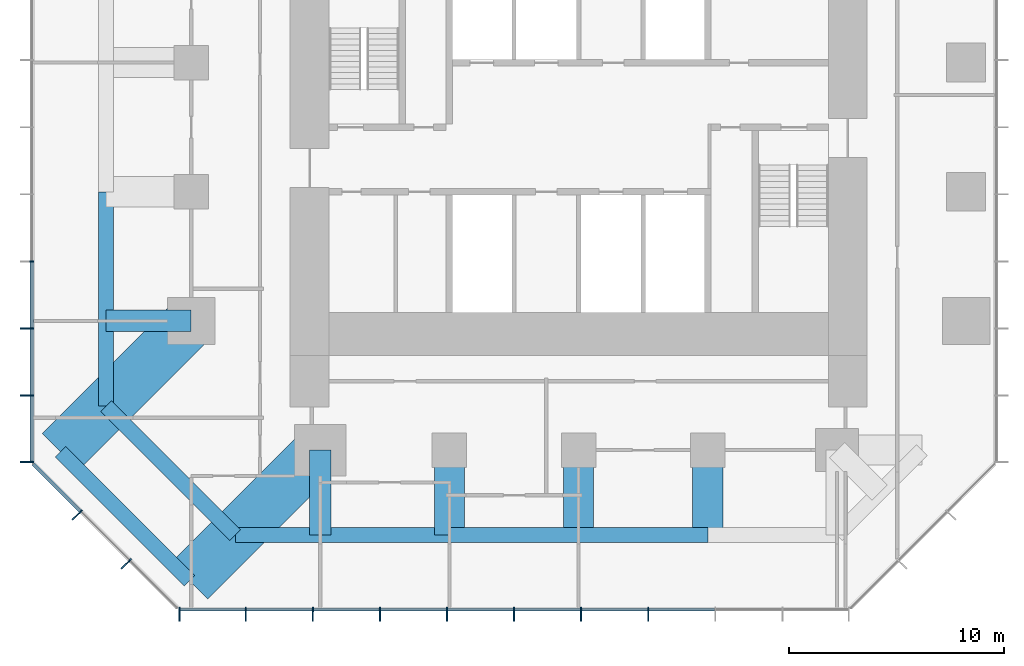
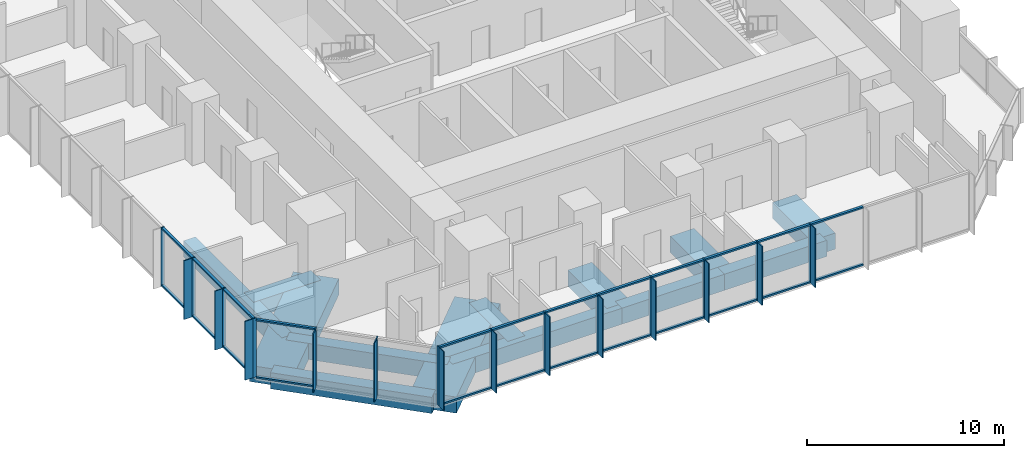
# One storey, part 2 of 11: 51 members, 13 beams, 3 elements without a shape of their own.
"""IFC4 building model written with IfcOpenShell, lengths in metres."""

from ifc_helpers import new_model, si_unit, direction, frame, origin, origin_2d, place, context, subcontext, project, spatial, rectangle, extrude, material, layer, layer_set, material_profile, profile_set, type_object, element, aggregate, save


model = new_model("IFC4")

# Units and contexts
model_context = context("Model", 3, precision=1e-05, world=origin(), true_north=direction((0.0, 1.0)))
body_context = subcontext(model_context, "Body", "Model", "MODEL_VIEW")
ifc_project = project(units=[si_unit("LENGTHUNIT", "METRE"), si_unit("AREAUNIT", "SQUARE_METRE"), si_unit("VOLUMEUNIT", "CUBIC_METRE"), si_unit("PLANEANGLEUNIT", "RADIAN"), si_unit("MASSUNIT", "GRAM", prefix="KILO")], contexts=[model_context])

# Site, building, storey
site_placement = place(None, origin())
site = spatial("IfcSite", under=ifc_project, at=site_placement, CompositionType="ELEMENT")
building_placement = place(site_placement, origin())
building = spatial("IfcBuilding", under=site, at=building_placement, Name="Highveld Stack Headquarters", CompositionType="ELEMENT")
storey_placement = place(building_placement, frame((0.0, 0.0, 235.699951171875)))
storey = spatial("IfcBuildingStorey", under=building, at=storey_placement, Name="L58", CompositionType="ELEMENT", Elevation=235.699951171875)

# Beams
ifc_material_1 = material(Name="Concrete C60/75", Category="concrete")
ifc_material_profile_1 = material_profile(ifc_material_1, rectangle(XDim=1.0, YDim=1.0, at=origin_2d()), Name="RC 1000x1000")
ifc_profile_set_1 = profile_set([ifc_material_profile_1], Name="Concrete C60/75")
beam_type_1 = type_object("IfcBeamType", Name="CANTILEVER RIB RC 1000x1000", PredefinedType="USERDEFINED", material=ifc_profile_set_1)
for number, where, z_axis, x_axis, name in (
    (1, (-12.0, -6.0, -0.75), (-1.0, 0.0, 0.0), (0.0, -1.0, 0.0), "Cantilever rib 4/D L58"),
    (2, (-6.0, -12.0, -0.75), (0.0, -1.0, 0.0), (1.0, 0.0, 0.0), "Cantilever rib 5/C L58"),
):
    element("IfcBeam", number, at=place(storey_placement, frame(where, z_axis=z_axis, x_axis=x_axis)), inside=storey, type_object=beam_type_1, Name=name, ObjectType="CANTILEVER RIB", PredefinedType="USERDEFINED", context=body_context, shape_type="SweptSolid", body=[
        extrude(rectangle(XDim=1.0, YDim=1.0, at=origin_2d()), origin(), (0.0, 0.0, 1.0), 3.949951171875),
    ])
ifc_material_2 = material(Name="Concrete C60/75", Category="concrete")
ifc_material_profile_2 = material_profile(ifc_material_2, rectangle(XDim=1.39990234375, YDim=1.0, at=origin_2d()), Name="RC 1400x1000")
ifc_profile_set_2 = profile_set([ifc_material_profile_2], Name="Concrete C60/75")
beam_type_2 = type_object("IfcBeamType", Name="CANTILEVER RIB RC 1400x1000", PredefinedType="USERDEFINED", material=ifc_profile_set_2)
for number, where, z_axis, x_axis, name in (
    (3, (0.0, -12.0, -0.75), (0.0, -1.0, 0.0), (1.0, 0.0, 0.0), "Cantilever rib 6/C L58"),
    (4, (6.0, -12.0, -0.75), (0.0, -1.0, 0.0), (1.0, 0.0, 0.0), "Cantilever rib 7/C L58"),
    (5, (12.0, -12.0, -0.75), (0.0, -1.0, 0.0), (1.0, 0.0, 0.0), "Cantilever rib 8/C L58"),
):
    element("IfcBeam", number, at=place(storey_placement, frame(where, z_axis=z_axis, x_axis=x_axis)), inside=storey, type_object=beam_type_2, Name=name, ObjectType="CANTILEVER RIB", PredefinedType="USERDEFINED", context=body_context, shape_type="SweptSolid", body=[
        extrude(rectangle(XDim=1.39990234375, YDim=1.0, at=origin_2d()), origin(), (0.0, 0.0, 1.0), 3.949951171875),
    ])
ifc_material_3 = material(Name="Concrete C60/75", Category="concrete")
ifc_material_profile_3 = material_profile(ifc_material_3, rectangle(XDim=2.39990234375, YDim=1.0, at=origin_2d()), Name="RC 2400x1000")
ifc_profile_set_3 = profile_set([ifc_material_profile_3], Name="Concrete C60/75")
beam_type_3 = type_object("IfcBeamType", Name="CANTILEVER RIB RC 2400x1000", PredefinedType="USERDEFINED", material=ifc_profile_set_3)
for number, where, z_axis, x_axis, name in (
    (6, (-12.0, -6.0, -0.75), (-0.707106781187, -0.707106781187, 0.0), (0.707106781187, -0.707106781187, 0.0), "Cantilever rib 4/D L58"),
    (7, (-6.0, -12.0, -0.75), (-0.707106781187, -0.707106781187, 0.0), (0.707106781187, -0.707106781187, 0.0), "Cantilever rib 5/C L58"),
):
    element("IfcBeam", number, at=place(storey_placement, frame(where, z_axis=z_axis, x_axis=x_axis)), inside=storey, type_object=beam_type_3, Name=name, ObjectType="CANTILEVER RIB", PredefinedType="USERDEFINED", context=body_context, shape_type="SweptSolid", body=[
        extrude(rectangle(XDim=2.39990234375, YDim=1.0, at=origin_2d()), origin(), (0.0, 0.0, 1.0), 8.585693359375),
    ])

# Curtain wall, members
ifc_material_4 = material(Name="Aluminium bronze anodised", Category="aluminium")
ifc_layer_1 = layer(ifc_material_4, 0.199951171875)
ifc_layer_set_1 = layer_set([ifc_layer_1], Name="Aluminium bronze anodised")
curtain_wall_type_1 = type_object("IfcCurtainWallType", Name="CW1 TOWER UNITISED CURTAIN WALL", PredefinedType="NOTDEFINED", material=ifc_layer_set_1)
curtain_wall_1_placement = place(storey_placement, origin())
curtain_wall_1 = element("IfcCurtainWall", 8, at=curtain_wall_1_placement, inside=storey, type_object=curtain_wall_type_1, Name="Curtain wall CW1 L58 S", PredefinedType="NOTDEFINED")
ifc_material_5 = material(Name="Aluminium bronze anodised", Category="aluminium")
ifc_material_profile_4 = material_profile(ifc_material_5, rectangle(XDim=0.449951171875, YDim=0.06005859375, at=origin_2d()), Name="FIN 450x60")
ifc_profile_set_4 = profile_set([ifc_material_profile_4], Name="Aluminium bronze anodised")
member_type_1 = type_object("IfcMemberType", Name="CW1 BRONZE FIN 450x60", PredefinedType="USERDEFINED", material=ifc_profile_set_4)
member_1_placement = place(storey_placement, frame((-12.54736328125, -19.72509765625, 0.0), z_axis=(0.0, 0.0, 1.0), x_axis=(0.0, 1.0, 0.0)))
member_1 = element("IfcMember", 9, at=member_1_placement, type_object=member_type_1, Name="CW1 fin L58 1", ObjectType="FIN", PredefinedType="USERDEFINED", context=body_context, shape_type="SweptSolid", body=[
    extrude(rectangle(XDim=0.449951171875, YDim=0.06005859375, at=origin_2d()), origin(), (0.0, 0.0, 1.0), 3.650146484375),
])
member_2_placement = place(storey_placement, frame((-9.4638671875, -19.72509765625, 0.0), z_axis=(0.0, 0.0, 1.0), x_axis=(0.0, 1.0, 0.0)))
member_2 = element("IfcMember", 10, at=member_2_placement, type_object=member_type_1, Name="CW1 fin L58 2", ObjectType="FIN", PredefinedType="USERDEFINED", context=body_context, shape_type="SweptSolid", body=[
    extrude(rectangle(XDim=0.449951171875, YDim=0.06005859375, at=origin_2d()), origin(), (0.0, 0.0, 1.0), 3.650146484375),
])
member_3_placement = place(storey_placement, frame((-6.347900390625, -19.72509765625, 0.0), z_axis=(0.0, 0.0, 1.0), x_axis=(0.0, 1.0, 0.0)))
member_3 = element("IfcMember", 11, at=member_3_placement, type_object=member_type_1, Name="CW1 fin L58 3", ObjectType="FIN", PredefinedType="USERDEFINED", context=body_context, shape_type="SweptSolid", body=[
    extrude(rectangle(XDim=0.449951171875, YDim=0.06005859375, at=origin_2d()), origin(), (0.0, 0.0, 1.0), 3.650146484375),
])
member_4_placement = place(storey_placement, frame((-3.23193359375, -19.72509765625, 0.0), z_axis=(0.0, 0.0, 1.0), x_axis=(0.0, 1.0, 0.0)))
member_4 = element("IfcMember", 12, at=member_4_placement, type_object=member_type_1, Name="CW1 fin L58 4", ObjectType="FIN", PredefinedType="USERDEFINED", context=body_context, shape_type="SweptSolid", body=[
    extrude(rectangle(XDim=0.449951171875, YDim=0.06005859375, at=origin_2d()), origin(), (0.0, 0.0, 1.0), 3.650146484375),
])
member_5_placement = place(storey_placement, frame((-0.115966796875, -19.72509765625, 0.0), z_axis=(0.0, 0.0, 1.0), x_axis=(0.0, 1.0, 0.0)))
member_5 = element("IfcMember", 13, at=member_5_placement, type_object=member_type_1, Name="CW1 fin L58 5", ObjectType="FIN", PredefinedType="USERDEFINED", context=body_context, shape_type="SweptSolid", body=[
    extrude(rectangle(XDim=0.449951171875, YDim=0.06005859375, at=origin_2d()), origin(), (0.0, 0.0, 1.0), 3.650146484375),
])
member_6_placement = place(storey_placement, frame((3.0, -19.72509765625, 0.0), z_axis=(0.0, 0.0, 1.0), x_axis=(0.0, 1.0, 0.0)))
member_6 = element("IfcMember", 14, at=member_6_placement, type_object=member_type_1, Name="CW1 fin L58 6", ObjectType="FIN", PredefinedType="USERDEFINED", context=body_context, shape_type="SweptSolid", body=[
    extrude(rectangle(XDim=0.449951171875, YDim=0.06005859375, at=origin_2d()), origin(), (0.0, 0.0, 1.0), 3.650146484375),
])
member_7_placement = place(storey_placement, frame((6.115966796875, -19.72509765625, 0.0), z_axis=(0.0, 0.0, 1.0), x_axis=(0.0, 1.0, 0.0)))
member_7 = element("IfcMember", 15, at=member_7_placement, type_object=member_type_1, Name="CW1 fin L58 7", ObjectType="FIN", PredefinedType="USERDEFINED", context=body_context, shape_type="SweptSolid", body=[
    extrude(rectangle(XDim=0.449951171875, YDim=0.06005859375, at=origin_2d()), origin(), (0.0, 0.0, 1.0), 3.650146484375),
])
member_8_placement = place(storey_placement, frame((9.23193359375, -19.72509765625, 0.0), z_axis=(0.0, 0.0, 1.0), x_axis=(0.0, 1.0, 0.0)))
member_8 = element("IfcMember", 16, at=member_8_placement, type_object=member_type_1, Name="CW1 fin L58 8", ObjectType="FIN", PredefinedType="USERDEFINED", context=body_context, shape_type="SweptSolid", body=[
    extrude(rectangle(XDim=0.449951171875, YDim=0.06005859375, at=origin_2d()), origin(), (0.0, 0.0, 1.0), 3.650146484375),
])

curtain_wall_2_placement = place(storey_placement, origin())
curtain_wall_2 = element("IfcCurtainWall", 17, at=curtain_wall_2_placement, inside=storey, type_object=curtain_wall_type_1, Name="Curtain wall CW1 L58 W", PredefinedType="NOTDEFINED")
member_9_placement = place(storey_placement, frame((-19.72509765625, -6.347900390625, 0.0), z_axis=(0.0, 0.0, 1.0), x_axis=(1.0, 0.0, 0.0)))
member_9 = element("IfcMember", 18, at=member_9_placement, type_object=member_type_1, Name="CW1 fin L58 9", ObjectType="FIN", PredefinedType="USERDEFINED", context=body_context, shape_type="SweptSolid", body=[
    extrude(rectangle(XDim=0.449951171875, YDim=0.06005859375, at=origin_2d()), origin(), (0.0, 0.0, 1.0), 3.650146484375),
])
member_10_placement = place(storey_placement, frame((-19.72509765625, -9.4638671875, 0.0), z_axis=(0.0, 0.0, 1.0), x_axis=(1.0, 0.0, 0.0)))
member_10 = element("IfcMember", 19, at=member_10_placement, type_object=member_type_1, Name="CW1 fin L58 10", ObjectType="FIN", PredefinedType="USERDEFINED", context=body_context, shape_type="SweptSolid", body=[
    extrude(rectangle(XDim=0.449951171875, YDim=0.06005859375, at=origin_2d()), origin(), (0.0, 0.0, 1.0), 3.650146484375),
])
member_11_placement = place(storey_placement, frame((-19.72509765625, -12.54736328125, 0.0), z_axis=(0.0, 0.0, 1.0), x_axis=(1.0, 0.0, 0.0)))
member_11 = element("IfcMember", 20, at=member_11_placement, type_object=member_type_1, Name="CW1 fin L58 11", ObjectType="FIN", PredefinedType="USERDEFINED", context=body_context, shape_type="SweptSolid", body=[
    extrude(rectangle(XDim=0.449951171875, YDim=0.06005859375, at=origin_2d()), origin(), (0.0, 0.0, 1.0), 3.650146484375),
])

# Member
ifc_material_6 = material(Name="Aluminium bronze anodised", Category="aluminium")
ifc_material_profile_5 = material_profile(ifc_material_6, rectangle(XDim=0.199951171875, YDim=0.06494140625, at=origin_2d()), Name="CW1 MULLION 65x200")
ifc_profile_set_5 = profile_set([ifc_material_profile_5], Name="Aluminium bronze anodised")
member_type_2 = type_object("IfcMemberType", Name="CW1 MULLION 65x200", PredefinedType="MULLION", material=ifc_profile_set_5)
member_12_placement = place(storey_placement, frame((-12.54736328125, -19.39990234375, 0.0), z_axis=(0.0, 0.0, 1.0), x_axis=(0.0, 1.0, 0.0)))
member_12 = element("IfcMember", 21, at=member_12_placement, type_object=member_type_2, Name="CW1 mullion L58 1", PredefinedType="MULLION", context=body_context, shape_type="SweptSolid", body=[
    extrude(rectangle(XDim=0.199951171875, YDim=0.06494140625, at=origin_2d()), origin(), (0.0, 0.0, 1.0), 3.650146484375),
])

member_13_placement = place(storey_placement, frame((-9.4638671875, -19.39990234375, 0.0), z_axis=(0.0, 0.0, 1.0), x_axis=(0.0, 1.0, 0.0)))
member_13 = element("IfcMember", 22, at=member_13_placement, type_object=member_type_2, Name="CW1 mullion L58 2", PredefinedType="MULLION", context=body_context, shape_type="SweptSolid", body=[
    extrude(rectangle(XDim=0.199951171875, YDim=0.06494140625, at=origin_2d()), origin(), (0.0, 0.0, 1.0), 3.650146484375),
])

member_14_placement = place(storey_placement, frame((-6.347900390625, -19.39990234375, 0.0), z_axis=(0.0, 0.0, 1.0), x_axis=(0.0, 1.0, 0.0)))
member_14 = element("IfcMember", 23, at=member_14_placement, type_object=member_type_2, Name="CW1 mullion L58 3", PredefinedType="MULLION", context=body_context, shape_type="SweptSolid", body=[
    extrude(rectangle(XDim=0.199951171875, YDim=0.06494140625, at=origin_2d()), origin(), (0.0, 0.0, 1.0), 3.650146484375),
])

member_15_placement = place(storey_placement, frame((-3.23193359375, -19.39990234375, 0.0), z_axis=(0.0, 0.0, 1.0), x_axis=(0.0, 1.0, 0.0)))
member_15 = element("IfcMember", 24, at=member_15_placement, type_object=member_type_2, Name="CW1 mullion L58 4", PredefinedType="MULLION", context=body_context, shape_type="SweptSolid", body=[
    extrude(rectangle(XDim=0.199951171875, YDim=0.06494140625, at=origin_2d()), origin(), (0.0, 0.0, 1.0), 3.650146484375),
])

member_16_placement = place(storey_placement, frame((-0.115966796875, -19.39990234375, 0.0), z_axis=(0.0, 0.0, 1.0), x_axis=(0.0, 1.0, 0.0)))
member_16 = element("IfcMember", 25, at=member_16_placement, type_object=member_type_2, Name="CW1 mullion L58 5", PredefinedType="MULLION", context=body_context, shape_type="SweptSolid", body=[
    extrude(rectangle(XDim=0.199951171875, YDim=0.06494140625, at=origin_2d()), origin(), (0.0, 0.0, 1.0), 3.650146484375),
])

member_17_placement = place(storey_placement, frame((3.0, -19.39990234375, 0.0), z_axis=(0.0, 0.0, 1.0), x_axis=(0.0, 1.0, 0.0)))
member_17 = element("IfcMember", 26, at=member_17_placement, type_object=member_type_2, Name="CW1 mullion L58 6", PredefinedType="MULLION", context=body_context, shape_type="SweptSolid", body=[
    extrude(rectangle(XDim=0.199951171875, YDim=0.06494140625, at=origin_2d()), origin(), (0.0, 0.0, 1.0), 3.650146484375),
])

member_18_placement = place(storey_placement, frame((6.115966796875, -19.39990234375, 0.0), z_axis=(0.0, 0.0, 1.0), x_axis=(0.0, 1.0, 0.0)))
member_18 = element("IfcMember", 27, at=member_18_placement, type_object=member_type_2, Name="CW1 mullion L58 7", PredefinedType="MULLION", context=body_context, shape_type="SweptSolid", body=[
    extrude(rectangle(XDim=0.199951171875, YDim=0.06494140625, at=origin_2d()), origin(), (0.0, 0.0, 1.0), 3.650146484375),
])

member_19_placement = place(storey_placement, frame((9.23193359375, -19.39990234375, 0.0), z_axis=(0.0, 0.0, 1.0), x_axis=(0.0, 1.0, 0.0)))
member_19 = element("IfcMember", 28, at=member_19_placement, type_object=member_type_2, Name="CW1 mullion L58 8", PredefinedType="MULLION", context=body_context, shape_type="SweptSolid", body=[
    extrude(rectangle(XDim=0.199951171875, YDim=0.06494140625, at=origin_2d()), origin(), (0.0, 0.0, 1.0), 3.650146484375),
])

member_20_placement = place(storey_placement, frame((-19.39990234375, -3.23193359375, 0.0), z_axis=(0.0, 0.0, 1.0), x_axis=(1.0, 0.0, 0.0)))
member_20 = element("IfcMember", 29, at=member_20_placement, type_object=member_type_2, Name="CW1 mullion L58 8", PredefinedType="MULLION", context=body_context, shape_type="SweptSolid", body=[
    extrude(rectangle(XDim=0.199951171875, YDim=0.06494140625, at=origin_2d()), origin(), (0.0, 0.0, 1.0), 3.650146484375),
])

member_21_placement = place(storey_placement, frame((-19.39990234375, -6.347900390625, 0.0), z_axis=(0.0, 0.0, 1.0), x_axis=(1.0, 0.0, 0.0)))
member_21 = element("IfcMember", 30, at=member_21_placement, type_object=member_type_2, Name="CW1 mullion L58 9", PredefinedType="MULLION", context=body_context, shape_type="SweptSolid", body=[
    extrude(rectangle(XDim=0.199951171875, YDim=0.06494140625, at=origin_2d()), origin(), (0.0, 0.0, 1.0), 3.650146484375),
])

member_22_placement = place(storey_placement, frame((-19.39990234375, -9.4638671875, 0.0), z_axis=(0.0, 0.0, 1.0), x_axis=(1.0, 0.0, 0.0)))
member_22 = element("IfcMember", 31, at=member_22_placement, type_object=member_type_2, Name="CW1 mullion L58 10", PredefinedType="MULLION", context=body_context, shape_type="SweptSolid", body=[
    extrude(rectangle(XDim=0.199951171875, YDim=0.06494140625, at=origin_2d()), origin(), (0.0, 0.0, 1.0), 3.650146484375),
])

member_23_placement = place(storey_placement, frame((-19.39990234375, -12.54736328125, 0.0), z_axis=(0.0, 0.0, 1.0), x_axis=(1.0, 0.0, 0.0)))
member_23 = element("IfcMember", 32, at=member_23_placement, type_object=member_type_2, Name="CW1 mullion L58 11", PredefinedType="MULLION", context=body_context, shape_type="SweptSolid", body=[
    extrude(rectangle(XDim=0.199951171875, YDim=0.06494140625, at=origin_2d()), origin(), (0.0, 0.0, 1.0), 3.650146484375),
])

ifc_material_7 = material(Name="Aluminium bronze anodised", Category="aluminium")
ifc_material_profile_6 = material_profile(ifc_material_7, rectangle(XDim=0.14990234375, YDim=0.10009765625, at=origin_2d()), Name="CW1 TRANSOM 150x100")
ifc_profile_set_6 = profile_set([ifc_material_profile_6], Name="Aluminium bronze anodised")
member_type_3 = type_object("IfcMemberType", Name="CW1 STACK TRANSOM 150x100", PredefinedType="USERDEFINED", material=ifc_profile_set_6)
member_24_placement = place(storey_placement, frame((-12.514892578125, -19.39990234375, 0.050048828125), z_axis=(1.0, 0.0, 0.0), x_axis=(0.0, 1.0, 0.0)))
member_24 = element("IfcMember", 33, at=member_24_placement, type_object=member_type_3, Name="CW1 transom L58 1.1", ObjectType="TRANSOM", PredefinedType="USERDEFINED", context=body_context, shape_type="SweptSolid", body=[
    extrude(rectangle(XDim=0.14990234375, YDim=0.10009765625, at=origin_2d()), origin(), (0.0, 0.0, 1.0), 3.0185546875),
])

member_25_placement = place(storey_placement, frame((-12.514892578125, -19.39990234375, 3.60009765625), z_axis=(1.0, 0.0, 0.0), x_axis=(0.0, 1.0, 0.0)))
member_25 = element("IfcMember", 34, at=member_25_placement, type_object=member_type_3, Name="CW1 transom L58 1.2", ObjectType="TRANSOM", PredefinedType="USERDEFINED", context=body_context, shape_type="SweptSolid", body=[
    extrude(rectangle(XDim=0.14990234375, YDim=0.10009765625, at=origin_2d()), origin(), (0.0, 0.0, 1.0), 3.0185546875),
])

member_26_placement = place(storey_placement, frame((-9.431396484375, -19.39990234375, 0.050048828125), z_axis=(1.0, 0.0, 0.0), x_axis=(0.0, 1.0, 0.0)))
member_26 = element("IfcMember", 35, at=member_26_placement, type_object=member_type_3, Name="CW1 transom L58 2.1", ObjectType="TRANSOM", PredefinedType="USERDEFINED", context=body_context, shape_type="SweptSolid", body=[
    extrude(rectangle(XDim=0.14990234375, YDim=0.10009765625, at=origin_2d()), origin(), (0.0, 0.0, 1.0), 3.051025390625),
])

member_27_placement = place(storey_placement, frame((-9.431396484375, -19.39990234375, 3.60009765625), z_axis=(1.0, 0.0, 0.0), x_axis=(0.0, 1.0, 0.0)))
member_27 = element("IfcMember", 36, at=member_27_placement, type_object=member_type_3, Name="CW1 transom L58 2.2", ObjectType="TRANSOM", PredefinedType="USERDEFINED", context=body_context, shape_type="SweptSolid", body=[
    extrude(rectangle(XDim=0.14990234375, YDim=0.10009765625, at=origin_2d()), origin(), (0.0, 0.0, 1.0), 3.051025390625),
])

member_28_placement = place(storey_placement, frame((-6.3154296875, -19.39990234375, 0.050048828125), z_axis=(1.0, 0.0, 0.0), x_axis=(0.0, 1.0, 0.0)))
member_28 = element("IfcMember", 37, at=member_28_placement, type_object=member_type_3, Name="CW1 transom L58 3.1", ObjectType="TRANSOM", PredefinedType="USERDEFINED", context=body_context, shape_type="SweptSolid", body=[
    extrude(rectangle(XDim=0.14990234375, YDim=0.10009765625, at=origin_2d()), origin(), (0.0, 0.0, 1.0), 3.051025390625),
])

member_29_placement = place(storey_placement, frame((-6.3154296875, -19.39990234375, 3.60009765625), z_axis=(1.0, 0.0, 0.0), x_axis=(0.0, 1.0, 0.0)))
member_29 = element("IfcMember", 38, at=member_29_placement, type_object=member_type_3, Name="CW1 transom L58 3.2", ObjectType="TRANSOM", PredefinedType="USERDEFINED", context=body_context, shape_type="SweptSolid", body=[
    extrude(rectangle(XDim=0.14990234375, YDim=0.10009765625, at=origin_2d()), origin(), (0.0, 0.0, 1.0), 3.051025390625),
])

member_30_placement = place(storey_placement, frame((-3.199462890625, -19.39990234375, 0.050048828125), z_axis=(1.0, 0.0, 0.0), x_axis=(0.0, 1.0, 0.0)))
member_30 = element("IfcMember", 39, at=member_30_placement, type_object=member_type_3, Name="CW1 transom L58 4.1", ObjectType="TRANSOM", PredefinedType="USERDEFINED", context=body_context, shape_type="SweptSolid", body=[
    extrude(rectangle(XDim=0.14990234375, YDim=0.10009765625, at=origin_2d()), origin(), (0.0, 0.0, 1.0), 3.051025390625),
])

member_31_placement = place(storey_placement, frame((-3.199462890625, -19.39990234375, 3.60009765625), z_axis=(1.0, 0.0, 0.0), x_axis=(0.0, 1.0, 0.0)))
member_31 = element("IfcMember", 40, at=member_31_placement, type_object=member_type_3, Name="CW1 transom L58 4.2", ObjectType="TRANSOM", PredefinedType="USERDEFINED", context=body_context, shape_type="SweptSolid", body=[
    extrude(rectangle(XDim=0.14990234375, YDim=0.10009765625, at=origin_2d()), origin(), (0.0, 0.0, 1.0), 3.051025390625),
])

member_32_placement = place(storey_placement, frame((-0.08349609375, -19.39990234375, 0.050048828125), z_axis=(1.0, 0.0, 0.0), x_axis=(0.0, 1.0, 0.0)))
member_32 = element("IfcMember", 41, at=member_32_placement, type_object=member_type_3, Name="CW1 transom L58 5.1", ObjectType="TRANSOM", PredefinedType="USERDEFINED", context=body_context, shape_type="SweptSolid", body=[
    extrude(rectangle(XDim=0.14990234375, YDim=0.10009765625, at=origin_2d()), origin(), (0.0, 0.0, 1.0), 3.051025390625),
])

member_33_placement = place(storey_placement, frame((-0.08349609375, -19.39990234375, 3.60009765625), z_axis=(1.0, 0.0, 0.0), x_axis=(0.0, 1.0, 0.0)))
member_33 = element("IfcMember", 42, at=member_33_placement, type_object=member_type_3, Name="CW1 transom L58 5.2", ObjectType="TRANSOM", PredefinedType="USERDEFINED", context=body_context, shape_type="SweptSolid", body=[
    extrude(rectangle(XDim=0.14990234375, YDim=0.10009765625, at=origin_2d()), origin(), (0.0, 0.0, 1.0), 3.051025390625),
])

member_34_placement = place(storey_placement, frame((3.032470703125, -19.39990234375, 0.050048828125), z_axis=(1.0, 0.0, 0.0), x_axis=(0.0, 1.0, 0.0)))
member_34 = element("IfcMember", 43, at=member_34_placement, type_object=member_type_3, Name="CW1 transom L58 6.1", ObjectType="TRANSOM", PredefinedType="USERDEFINED", context=body_context, shape_type="SweptSolid", body=[
    extrude(rectangle(XDim=0.14990234375, YDim=0.10009765625, at=origin_2d()), origin(), (0.0, 0.0, 1.0), 3.051025390625),
])

member_35_placement = place(storey_placement, frame((3.032470703125, -19.39990234375, 3.60009765625), z_axis=(1.0, 0.0, 0.0), x_axis=(0.0, 1.0, 0.0)))
member_35 = element("IfcMember", 44, at=member_35_placement, type_object=member_type_3, Name="CW1 transom L58 6.2", ObjectType="TRANSOM", PredefinedType="USERDEFINED", context=body_context, shape_type="SweptSolid", body=[
    extrude(rectangle(XDim=0.14990234375, YDim=0.10009765625, at=origin_2d()), origin(), (0.0, 0.0, 1.0), 3.051025390625),
])

member_36_placement = place(storey_placement, frame((6.1484375, -19.39990234375, 0.050048828125), z_axis=(1.0, 0.0, 0.0), x_axis=(0.0, 1.0, 0.0)))
member_36 = element("IfcMember", 45, at=member_36_placement, type_object=member_type_3, Name="CW1 transom L58 7.1", ObjectType="TRANSOM", PredefinedType="USERDEFINED", context=body_context, shape_type="SweptSolid", body=[
    extrude(rectangle(XDim=0.14990234375, YDim=0.10009765625, at=origin_2d()), origin(), (0.0, 0.0, 1.0), 3.051025390625),
])

member_37_placement = place(storey_placement, frame((6.1484375, -19.39990234375, 3.60009765625), z_axis=(1.0, 0.0, 0.0), x_axis=(0.0, 1.0, 0.0)))
member_37 = element("IfcMember", 46, at=member_37_placement, type_object=member_type_3, Name="CW1 transom L58 7.2", ObjectType="TRANSOM", PredefinedType="USERDEFINED", context=body_context, shape_type="SweptSolid", body=[
    extrude(rectangle(XDim=0.14990234375, YDim=0.10009765625, at=origin_2d()), origin(), (0.0, 0.0, 1.0), 3.051025390625),
])

member_38_placement = place(storey_placement, frame((9.264404296875, -19.39990234375, 0.050048828125), z_axis=(1.0, 0.0, 0.0), x_axis=(0.0, 1.0, 0.0)))
member_38 = element("IfcMember", 47, at=member_38_placement, type_object=member_type_3, Name="CW1 transom L58 8.1", ObjectType="TRANSOM", PredefinedType="USERDEFINED", context=body_context, shape_type="SweptSolid", body=[
    extrude(rectangle(XDim=0.14990234375, YDim=0.10009765625, at=origin_2d()), origin(), (0.0, 0.0, 1.0), 3.051025390625),
])

member_39_placement = place(storey_placement, frame((9.264404296875, -19.39990234375, 3.60009765625), z_axis=(1.0, 0.0, 0.0), x_axis=(0.0, 1.0, 0.0)))
member_39 = element("IfcMember", 48, at=member_39_placement, type_object=member_type_3, Name="CW1 transom L58 8.2", ObjectType="TRANSOM", PredefinedType="USERDEFINED", context=body_context, shape_type="SweptSolid", body=[
    extrude(rectangle(XDim=0.14990234375, YDim=0.10009765625, at=origin_2d()), origin(), (0.0, 0.0, 1.0), 3.051025390625),
])

aggregate(curtain_wall_1, [member_12, member_1, member_13, member_2, member_14, member_3, member_15, member_4, member_16, member_5, member_17, member_6, member_18, member_7, member_19, member_8, member_24, member_25, member_26, member_27, member_28, member_29, member_30, member_31, member_32, member_33, member_34, member_35, member_36, member_37, member_38, member_39])

member_40_placement = place(storey_placement, frame((-19.39990234375, -3.264404296875, 0.050048828125), z_axis=(0.0, -1.0, 0.0), x_axis=(1.0, 0.0, 0.0)))
member_40 = element("IfcMember", 49, at=member_40_placement, type_object=member_type_3, Name="CW1 transom L58 8.1", ObjectType="TRANSOM", PredefinedType="USERDEFINED", context=body_context, shape_type="SweptSolid", body=[
    extrude(rectangle(XDim=0.14990234375, YDim=0.10009765625, at=origin_2d()), origin(), (0.0, 0.0, 1.0), 3.051025390625),
])

member_41_placement = place(storey_placement, frame((-19.39990234375, -3.264404296875, 3.60009765625), z_axis=(0.0, -1.0, 0.0), x_axis=(1.0, 0.0, 0.0)))
member_41 = element("IfcMember", 50, at=member_41_placement, type_object=member_type_3, Name="CW1 transom L58 8.2", ObjectType="TRANSOM", PredefinedType="USERDEFINED", context=body_context, shape_type="SweptSolid", body=[
    extrude(rectangle(XDim=0.14990234375, YDim=0.10009765625, at=origin_2d()), origin(), (0.0, 0.0, 1.0), 3.051025390625),
])

member_42_placement = place(storey_placement, frame((-19.39990234375, -6.38037109375, 0.050048828125), z_axis=(0.0, -1.0, 0.0), x_axis=(1.0, 0.0, 0.0)))
member_42 = element("IfcMember", 51, at=member_42_placement, type_object=member_type_3, Name="CW1 transom L58 9.1", ObjectType="TRANSOM", PredefinedType="USERDEFINED", context=body_context, shape_type="SweptSolid", body=[
    extrude(rectangle(XDim=0.14990234375, YDim=0.10009765625, at=origin_2d()), origin(), (0.0, 0.0, 1.0), 3.051025390625),
])

member_43_placement = place(storey_placement, frame((-19.39990234375, -6.38037109375, 3.60009765625), z_axis=(0.0, -1.0, 0.0), x_axis=(1.0, 0.0, 0.0)))
member_43 = element("IfcMember", 52, at=member_43_placement, type_object=member_type_3, Name="CW1 transom L58 9.2", ObjectType="TRANSOM", PredefinedType="USERDEFINED", context=body_context, shape_type="SweptSolid", body=[
    extrude(rectangle(XDim=0.14990234375, YDim=0.10009765625, at=origin_2d()), origin(), (0.0, 0.0, 1.0), 3.051025390625),
])

member_44_placement = place(storey_placement, frame((-19.39990234375, -9.496337890625, 0.050048828125), z_axis=(0.0, -1.0, 0.0), x_axis=(1.0, 0.0, 0.0)))
member_44 = element("IfcMember", 53, at=member_44_placement, type_object=member_type_3, Name="CW1 transom L58 10.1", ObjectType="TRANSOM", PredefinedType="USERDEFINED", context=body_context, shape_type="SweptSolid", body=[
    extrude(rectangle(XDim=0.14990234375, YDim=0.10009765625, at=origin_2d()), origin(), (0.0, 0.0, 1.0), 3.0185546875),
])

member_45_placement = place(storey_placement, frame((-19.39990234375, -9.496337890625, 3.60009765625), z_axis=(0.0, -1.0, 0.0), x_axis=(1.0, 0.0, 0.0)))
member_45 = element("IfcMember", 54, at=member_45_placement, type_object=member_type_3, Name="CW1 transom L58 10.2", ObjectType="TRANSOM", PredefinedType="USERDEFINED", context=body_context, shape_type="SweptSolid", body=[
    extrude(rectangle(XDim=0.14990234375, YDim=0.10009765625, at=origin_2d()), origin(), (0.0, 0.0, 1.0), 3.0185546875),
])

aggregate(curtain_wall_2, [member_20, member_21, member_9, member_22, member_10, member_23, member_11, member_40, member_41, member_42, member_43, member_44, member_45])

# Curtain wall, members
ifc_material_8 = material(Name="Aluminium bronze anodised", Category="aluminium")
ifc_layer_2 = layer(ifc_material_8, 0.199951171875)
ifc_layer_set_2 = layer_set([ifc_layer_2], Name="Aluminium bronze anodised")
curtain_wall_type_2 = type_object("IfcCurtainWallType", Name="CW2 TOWER CHAMFER UNITISED CURTAIN WALL", PredefinedType="NOTDEFINED", material=ifc_layer_set_2)
curtain_wall_3_placement = place(storey_placement, origin())
curtain_wall_3 = element("IfcCurtainWall", 55, at=curtain_wall_3_placement, inside=storey, type_object=curtain_wall_type_2, Name="Curtain wall CW2 L58 SW", PredefinedType="NOTDEFINED")
ifc_material_9 = material(Name="Aluminium bronze anodised", Category="aluminium")
ifc_material_profile_7 = material_profile(ifc_material_9, rectangle(XDim=0.449951171875, YDim=0.06005859375, at=origin_2d()), Name="FIN 450x60")
ifc_profile_set_7 = profile_set([ifc_material_profile_7], Name="Aluminium bronze anodised")
member_type_4 = type_object("IfcMemberType", Name="CW2 BRONZE FIN 450x60", PredefinedType="USERDEFINED", material=ifc_profile_set_7)
member_46_placement = place(storey_placement, frame((-17.3564453125, -15.0830078125, 0.0), z_axis=(0.0, 0.0, 1.0), x_axis=(0.707106781187, 0.707106781187, 0.0)))
member_46 = element("IfcMember", 56, at=member_46_placement, type_object=member_type_4, Name="CW2 fin L58 1", ObjectType="FIN", PredefinedType="USERDEFINED", context=body_context, shape_type="SweptSolid", body=[
    extrude(rectangle(XDim=0.449951171875, YDim=0.06005859375, at=origin_2d()), origin(), (0.0, 0.0, 1.0), 3.650146484375),
])
member_47_placement = place(storey_placement, frame((-15.0830078125, -17.3564453125, 0.0), z_axis=(0.0, 0.0, 1.0), x_axis=(0.707106781187, 0.707106781187, 0.0)))
member_47 = element("IfcMember", 57, at=member_47_placement, type_object=member_type_4, Name="CW2 fin L58 2", ObjectType="FIN", PredefinedType="USERDEFINED", context=body_context, shape_type="SweptSolid", body=[
    extrude(rectangle(XDim=0.449951171875, YDim=0.06005859375, at=origin_2d()), origin(), (0.0, 0.0, 1.0), 3.650146484375),
])
ifc_material_10 = material(Name="Aluminium bronze anodised", Category="aluminium")
ifc_material_profile_8 = material_profile(ifc_material_10, rectangle(XDim=0.199951171875, YDim=0.06494140625, at=origin_2d()), Name="CW2 MULLION 65x200")
ifc_profile_set_8 = profile_set([ifc_material_profile_8], Name="Aluminium bronze anodised")
member_type_5 = type_object("IfcMemberType", Name="CW2 MULLION 65x200", PredefinedType="MULLION", material=ifc_profile_set_8)
member_48_placement = place(storey_placement, frame((-17.126708984375, -14.853271484375, 0.0), z_axis=(0.0, 0.0, 1.0), x_axis=(0.707106781187, 0.707106781187, 0.0)))
member_48 = element("IfcMember", 58, at=member_48_placement, type_object=member_type_5, Name="CW2 mullion L58 1", PredefinedType="MULLION", context=body_context, shape_type="SweptSolid", body=[
    extrude(rectangle(XDim=0.199951171875, YDim=0.06494140625, at=origin_2d()), origin(), (0.0, 0.0, 1.0), 3.650146484375),
])
member_49_placement = place(storey_placement, frame((-14.853271484375, -17.126708984375, 0.0), z_axis=(0.0, 0.0, 1.0), x_axis=(0.707106781187, 0.707106781187, 0.0)))
member_49 = element("IfcMember", 59, at=member_49_placement, type_object=member_type_5, Name="CW2 mullion L58 2", PredefinedType="MULLION", context=body_context, shape_type="SweptSolid", body=[
    extrude(rectangle(XDim=0.199951171875, YDim=0.06494140625, at=origin_2d()), origin(), (0.0, 0.0, 1.0), 3.650146484375),
])
ifc_material_11 = material(Name="Aluminium bronze anodised", Category="aluminium")
ifc_material_profile_9 = material_profile(ifc_material_11, rectangle(XDim=0.14990234375, YDim=0.10009765625, at=origin_2d()), Name="CW2 TRANSOM 150x100")
ifc_profile_set_9 = profile_set([ifc_material_profile_9], Name="Aluminium bronze anodised")
member_type_6 = type_object("IfcMemberType", Name="CW2 STACK TRANSOM 150x100", PredefinedType="USERDEFINED", material=ifc_profile_set_9)
member_50_placement = place(storey_placement, frame((-19.329345703125, -12.650634765625, 0.050048828125), z_axis=(0.707106781187, -0.707106781187, 0.0), x_axis=(0.707106781187, 0.707106781187, 0.0)))
member_50 = element("IfcMember", 60, at=member_50_placement, type_object=member_type_6, Name="CW2 transom L58 1.1", ObjectType="TRANSOM", PredefinedType="USERDEFINED", context=body_context, shape_type="SweptSolid", body=[
    extrude(rectangle(XDim=0.14990234375, YDim=0.10009765625, at=origin_2d()), origin(), (0.0, 0.0, 1.0), 3.08251953125),
])
member_51_placement = place(storey_placement, frame((-19.329345703125, -12.650634765625, 3.60009765625), z_axis=(0.707106781187, -0.707106781187, 0.0), x_axis=(0.707106781187, 0.707106781187, 0.0)))
member_51 = element("IfcMember", 61, at=member_51_placement, type_object=member_type_6, Name="CW2 transom L58 1.2", ObjectType="TRANSOM", PredefinedType="USERDEFINED", context=body_context, shape_type="SweptSolid", body=[
    extrude(rectangle(XDim=0.14990234375, YDim=0.10009765625, at=origin_2d()), origin(), (0.0, 0.0, 1.0), 3.08251953125),
])
aggregate(curtain_wall_3, [member_48, member_46, member_49, member_47, member_50, member_51])

# Beams
ifc_material_12 = material(Name="Concrete C60/75", Category="concrete")
ifc_material_profile_10 = material_profile(ifc_material_12, rectangle(XDim=0.699951171875, YDim=1.0, at=origin_2d()), Name="RC 700x1000")
ifc_profile_set_10 = profile_set([ifc_material_profile_10], Name="Concrete C60/75")
beam_type_4 = type_object("IfcBeamType", Name="RIB TIP BEAM RC 700x1000", PredefinedType="SPANDREL", material=ifc_profile_set_10)
for number, where, z_axis, x_axis, name in (
    (62, (-15.949951171875, -9.949951171875, -0.75), (0.0, 1.0, 0.0), (-1.0, 0.0, 0.0), "Rib tip beam 4/D to 4/E L58"),
    (63, (-9.949951171875, -15.949951171875, -0.75), (1.0, 0.0, 0.0), (0.0, 1.0, 0.0), "Rib tip beam 5/C to 6/C L58"),
):
    element("IfcBeam", number, at=place(storey_placement, frame(where, z_axis=z_axis, x_axis=x_axis)), inside=storey, type_object=beam_type_4, Name=name, PredefinedType="SPANDREL", context=body_context, shape_type="SweptSolid", body=[
        extrude(rectangle(XDim=0.699951171875, YDim=1.0, at=origin_2d()), origin(), (0.0, 0.0, 1.0), 9.949951171875),
    ])
for number, where, z_axis, x_axis, name in (
    (64, (0.0, -15.949951171875, -0.75), (1.0, 0.0, 0.0), (0.0, 1.0, 0.0), "Rib tip beam 6/C to 7/C L58"),
    (65, (6.0, -15.949951171875, -0.75), (1.0, 0.0, 0.0), (0.0, 1.0, 0.0), "Rib tip beam 7/C to 8/C L58"),
):
    element("IfcBeam", number, at=place(storey_placement, frame(where, z_axis=z_axis, x_axis=x_axis)), inside=storey, type_object=beam_type_4, Name=name, PredefinedType="SPANDREL", context=body_context, shape_type="SweptSolid", body=[
        extrude(rectangle(XDim=0.699951171875, YDim=1.0, at=origin_2d()), origin(), (0.0, 0.0, 1.0), 6.0),
    ])
for number, where, z_axis, x_axis, name in (
    (66, (-15.949951171875, -9.949951171875, -0.75), (0.707106781187, -0.707106781187, 0.0), (0.707106781187, 0.707106781187, 0.0), "Rib tip beam 4/D to 5/C chamfer L58"),
    (67, (-18.071044921875, -12.071044921875, -0.75), (0.707106781187, -0.707106781187, 0.0), (0.707106781187, 0.707106781187, 0.0), "Rib tip beam 4/D to 5/C chamfer edge L58"),
):
    element("IfcBeam", number, at=place(storey_placement, frame(where, z_axis=z_axis, x_axis=x_axis)), inside=storey, type_object=beam_type_4, Name=name, PredefinedType="SPANDREL", context=body_context, shape_type="SweptSolid", body=[
        extrude(rectangle(XDim=0.699951171875, YDim=1.0, at=origin_2d()), origin(), (0.0, 0.0, 1.0), 8.4853515625),
    ])

save(model, "model.ifc")
